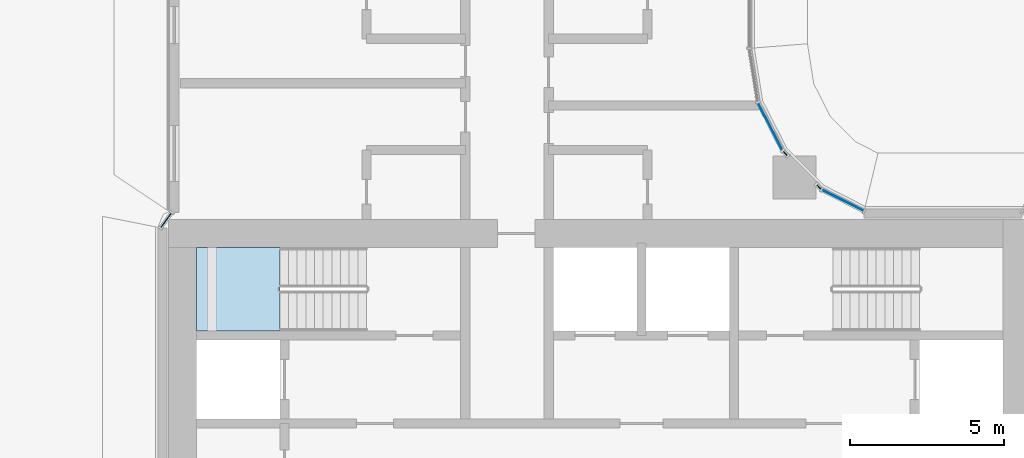
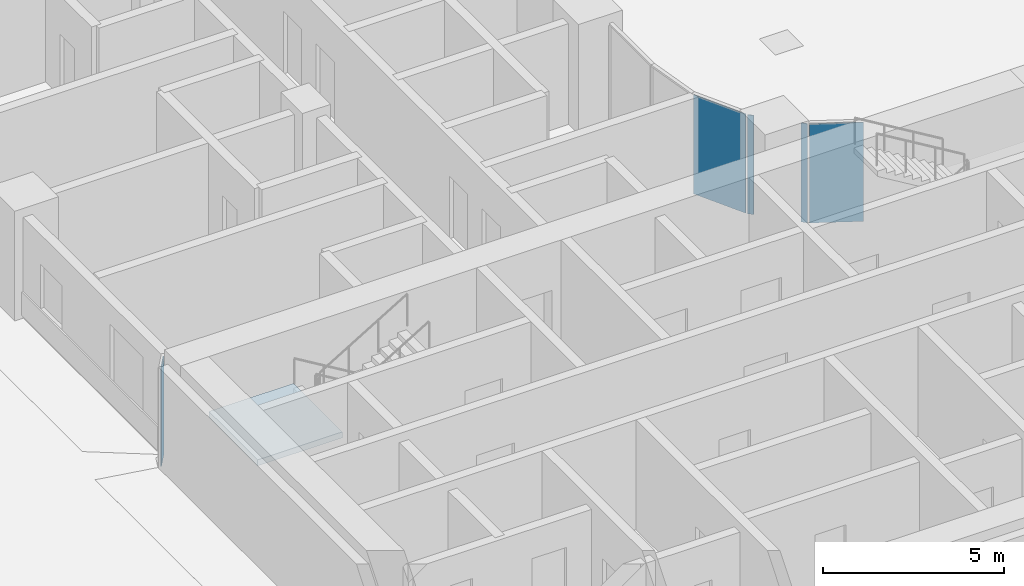
# One storey, part 14 of 51: 5 plates, 1 slab, 4 elements without a shape of their own.
"""IFC4 building model written with IfcOpenShell, lengths in metres."""

from ifc_helpers import new_model, si_unit, direction, frame, origin, origin_2d, place, context, subcontext, project, spatial, polyline, rectangle, outline, extrude, material, layer, layer_set, type_object, element, aggregate, save


model = new_model("IFC4")

# Units and contexts
model_context = context("Model", 3, precision=1e-05, world=origin(), true_north=direction((0.0, 1.0)))
body_context = subcontext(model_context, "Body", "Model", "MODEL_VIEW")
ifc_project = project(units=[si_unit("LENGTHUNIT", "METRE"), si_unit("AREAUNIT", "SQUARE_METRE"), si_unit("VOLUMEUNIT", "CUBIC_METRE"), si_unit("PLANEANGLEUNIT", "RADIAN"), si_unit("MASSUNIT", "GRAM", prefix="KILO")], contexts=[model_context])

# Site, building, storey
site_placement = place(None, origin())
site = spatial("IfcSite", under=ifc_project, at=site_placement, CompositionType="ELEMENT")
building_placement = place(site_placement, origin())
building = spatial("IfcBuilding", under=site, at=building_placement, Name="Ogive Portal Towers", CompositionType="ELEMENT")
storey_placement = place(building_placement, frame((0.0, 0.0, 33.5)))
storey = spatial("IfcBuildingStorey", under=building, at=storey_placement, Name="L06", CompositionType="ELEMENT", Elevation=33.5)

# Curtain wall, plates
ifc_material_1 = material(Name="Glass, clear low-iron insulated glazing", Category="glass")
curtain_wall_type = type_object("IfcCurtainWallType", Name="CW FRONT RIBBON 4500", PredefinedType="NOTDEFINED", material=ifc_material_1)
curtain_wall_1_placement = place(storey_placement, origin())
curtain_wall_1 = element("IfcCurtainWall", 1, at=curtain_wall_1_placement, inside=storey, type_object=curtain_wall_type, Name="A:L06:f02:cwa~0", PredefinedType="NOTDEFINED")
ifc_layer_1 = layer(ifc_material_1, 0.028076171875)
ifc_layer_set_1 = layer_set([ifc_layer_1], Name="CW PANEL IGU 28")
plate_type = type_object("IfcPlateType", Name="CW PANEL IGU 28", PredefinedType="CURTAIN_PANEL", material=ifc_layer_set_1)
plate_1_placement = place(storey_placement, frame((52.866455078125, 40.572021484375, 0.0), z_axis=(0.0, 0.0, 1.0), x_axis=(-0.891006524188, 0.45399049974, 0.0)))
plate_1 = element("IfcPlate", 2, at=plate_1_placement, type_object=plate_type, Name="panel", PredefinedType="CURTAIN_PANEL", context=body_context, shape_type="SweptSolid", body=[
    extrude(rectangle(XDim=1.4912109375, YDim=0.028076171875, at=origin_2d()), origin(), (0.0, 0.0, 1.0), 3.340087890625),
])
plate_2_placement = place(storey_placement, frame((52.0927734375, 41.0068359375, 0.0), z_axis=(0.0, 0.0, 1.0), x_axis=(-0.707106781187, 0.707106781187, 0.0)))
plate_2 = element("IfcPlate", 3, at=plate_2_placement, type_object=plate_type, Name="panel", PredefinedType="CURTAIN_PANEL", context=body_context, shape_type="SweptSolid", body=[
    extrude(rectangle(XDim=0.174072265625, YDim=0.028076171875, at=origin_2d()), origin(), (0.0, 0.0, 1.0), 3.340087890625),
])
aggregate(curtain_wall_1, [plate_1, plate_2])

curtain_wall_2_placement = place(storey_placement, origin())
curtain_wall_2 = element("IfcCurtainWall", 4, at=curtain_wall_2_placement, inside=storey, type_object=curtain_wall_type, Name="A:L06:f02:cwa~1", PredefinedType="NOTDEFINED")
plate_3_placement = place(storey_placement, frame((51.0068359375, 42.0927734375, 0.0), z_axis=(0.0, 0.0, 1.0), x_axis=(-0.707106781187, 0.707106781187, 0.0)))
plate_3 = element("IfcPlate", 5, at=plate_3_placement, type_object=plate_type, Name="panel", PredefinedType="CURTAIN_PANEL", context=body_context, shape_type="SweptSolid", body=[
    extrude(rectangle(XDim=0.174072265625, YDim=0.028076171875, at=origin_2d()), origin(), (0.0, 0.0, 1.0), 3.340087890625),
])
plate_4_placement = place(storey_placement, frame((50.5224609375, 42.9638671875, 0.0), z_axis=(0.0, 0.0, 1.0), x_axis=(-0.45399049974, 0.891006524188, 0.0)))
plate_4 = element("IfcPlate", 6, at=plate_4_placement, type_object=plate_type, Name="panel", PredefinedType="CURTAIN_PANEL", context=body_context, shape_type="SweptSolid", body=[
    extrude(rectangle(XDim=1.70947265625, YDim=0.028076171875, at=origin_2d()), origin(), (0.0, 0.0, 1.0), 3.340087890625),
])
aggregate(curtain_wall_2, [plate_3, plate_4])

# Curtain wall, plate
curtain_wall_3_placement = place(storey_placement, origin())
curtain_wall_3 = element("IfcCurtainWall", 7, at=curtain_wall_3_placement, inside=storey, type_object=curtain_wall_type, Name="A:L06:f14:cwa", PredefinedType="NOTDEFINED")
plate_5_placement = place(storey_placement, frame((30.967529296875, 39.927001953125, 0.0), z_axis=(0.0, 0.0, 1.0), x_axis=(-0.594808729844, -0.803867261991, 0.0)))
plate_5 = element("IfcPlate", 8, at=plate_5_placement, type_object=plate_type, Name="panel", PredefinedType="CURTAIN_PANEL", context=body_context, shape_type="SweptSolid", body=[
    extrude(rectangle(XDim=0.570556640625, YDim=0.028076171875, at=origin_2d()), origin(), (0.0, 0.0, 1.0), 3.340087890625),
])
aggregate(curtain_wall_3, [plate_5])

# Stair, slab
ifc_material_2 = material(Name="Concrete C40/50", Category="concrete")
stair_type = type_object("IfcStairType", Name="INT-STAIR", PredefinedType="HALF_TURN_STAIR", material=ifc_material_2)
stair_placement = place(storey_placement, origin())
stair = element("IfcStair", 9, at=stair_placement, inside=storey, type_object=stair_type, Name="L06 Exit Stair ST-A1", PredefinedType="HALF_TURN_STAIR")
ifc_layer_2 = layer(ifc_material_2, 0.199951171875)
ifc_layer_set_2 = layer_set([ifc_layer_2], Name="INT-LANDING")
slab_type = type_object("IfcSlabType", Name="INT-LANDING", PredefinedType="LANDING", material=ifc_layer_set_2)
slab_placement = place(storey_placement, frame((0.0, 0.0, 1.64990234375)))
slab = element("IfcSlab", 10, at=slab_placement, type_object=slab_type, Name="ST-A1 landing 1", PredefinedType="LANDING", context=body_context, shape_type="SweptSolid", body=[
    extrude(outline(polyline([(34.64990234375, 39.050048828125), (31.949951171875, 39.050048828125), (31.949951171875, 36.35009765625), (34.64990234375, 36.35009765625), (34.64990234375, 39.050048828125)])), origin(), (0.0, 0.0, 1.0), 0.2001953125),
])
aggregate(stair, [slab])

save(model, "model.ifc")
